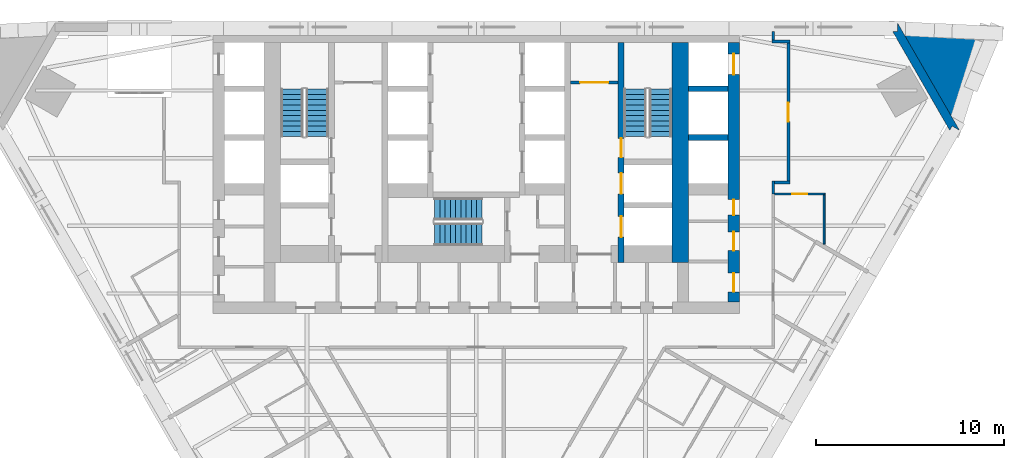
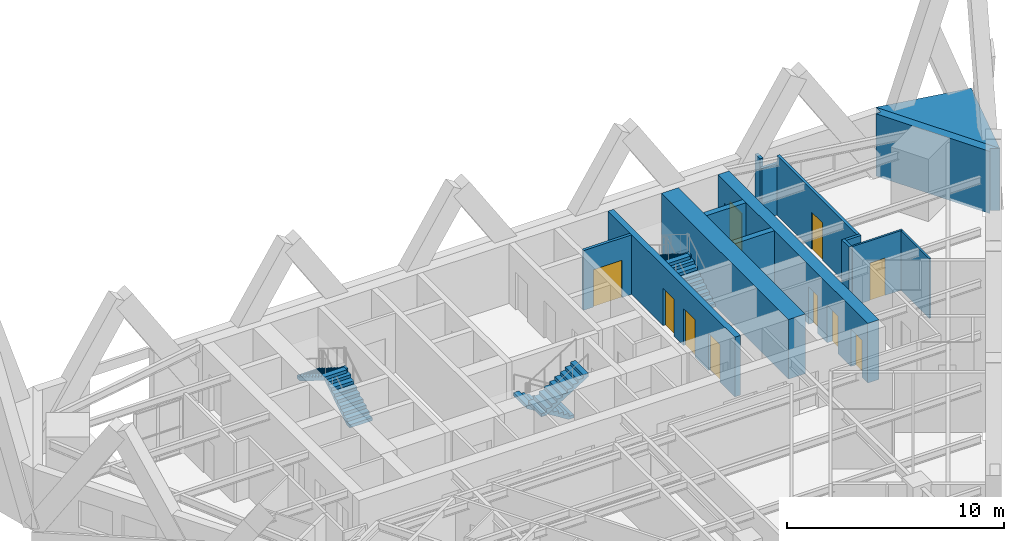
# One storey, part 9 of 11: 15 walls, 10 doors, 6 stair flights, 10 openings, 3 elements without a shape of their own.
"""IFC4 building model written with IfcOpenShell, lengths in metres."""

from ifc_helpers import new_model, si_unit, direction, frame, frame_2d, origin, place, context, subcontext, project, spatial, polyline, rectangle, outline, extrude, material, layer, layer_set, type_object, element, fill, aggregate, save


model = new_model("IFC4")

# Units and contexts
model_context = context("Model", 3, precision=1e-05, world=origin(), true_north=direction((0.0, 1.0)))
body_context = subcontext(model_context, "Body", "Model", "MODEL_VIEW")
ifc_project = project(units=[si_unit("LENGTHUNIT", "METRE"), si_unit("AREAUNIT", "SQUARE_METRE"), si_unit("VOLUMEUNIT", "CUBIC_METRE"), si_unit("PLANEANGLEUNIT", "RADIAN"), si_unit("MASSUNIT", "GRAM", prefix="KILO")], contexts=[model_context])

# Site, building, storey
site_placement = place(None, origin())
site = spatial("IfcSite", under=ifc_project, at=site_placement, CompositionType="ELEMENT")
building_placement = place(site_placement, origin())
building = spatial("IfcBuilding", under=site, at=building_placement, Name="Aloe Facet Convention Tower", CompositionType="ELEMENT")
storey_placement = place(building_placement, frame((0.0, 0.0, 49.0)))
storey = spatial("IfcBuildingStorey", under=building, at=storey_placement, Name="L10", CompositionType="ELEMENT", Elevation=49.0)

# Wall, opening, door
ifc_material_1 = material(Name="Concrete blockwork partition", Category="masonry")
ifc_layer_1 = layer(ifc_material_1, 0.14990234375)
ifc_layer_set_1 = layer_set([ifc_layer_1], Name="CR-W-PART150")
wall_type_1 = type_object("IfcWallType", Name="CR-W-PART150", PredefinedType="PARTITIONING", material=ifc_layer_set_1)
wall_1_placement = place(storey_placement, frame((85.0, 131.824951171875, 0.0), z_axis=(0.0, 0.0, 1.0), x_axis=(1.0, 0.0, 0.0)))
wall_1 = element("IfcWall", 1, at=wall_1_placement, inside=storey, type_object=wall_type_1, Name="Core partition L10-039", PredefinedType="PARTITIONING", context=body_context, shape_type="SweptSolid", body=[
    extrude(rectangle(XDim=2.550048828125, YDim=0.14990234375, at=frame_2d((1.27490234375, 0.0))), origin(), (0.0, 0.0, 1.0), 3.35009765625),
])
opening_1_placement = place(wall_1_placement, frame((0.52490234375, 0.0, 0.0)))
opening_1 = element("IfcOpeningElement", 2, at=opening_1_placement, cuts=wall_1, Name="Opening L10-CD21", PredefinedType="OPENING", context=body_context, shape_type="SweptSolid", body=[
    extrude(rectangle(XDim=1.5, YDim=2.10009765625, at=frame_2d((0.75, 1.050048828125))), frame((0.0, 0.0849609375, 0.0), z_axis=(0.0, -1.0, 0.0), x_axis=(1.0, 0.0, 0.0)), (0.0, 0.0, 1.0), 0.169921875),
])
ifc_material_2 = material(Name="Steel fire-resisting door set FD60", Category="steel")
door_type_1 = type_object("IfcDoorType", Name="CR-D-REFUGE-1500-FD60-DD", OperationType="DOUBLE_DOOR_DOUBLE_SWING", PredefinedType="DOOR", material=ifc_material_2)
door_1_placement = place(opening_1_placement, origin())
door_1 = element("IfcDoor", 3, at=door_1_placement, inside=storey, type_object=door_type_1, Name="Core door L10-CD21", OperationType="DOUBLE_DOOR_DOUBLE_SWING", OverallHeight=2.10009765625, OverallWidth=1.5, PredefinedType="DOOR", context=body_context, shape_type="SweptSolid", body=[
    extrude(rectangle(XDim=1.5, YDim=2.10009765625, at=frame_2d((0.75, 1.050048828125))), frame((0.0, 0.02490234375, 0.0), z_axis=(0.0, -1.0, 0.0), x_axis=(1.0, 0.0, 0.0)), (0.0, 0.0, 1.0), 0.050048828125),
])
fill(opening_1, door_1)

# Wall, openings, doors
ifc_material_3 = material(Name="Concrete C80/95", Category="concrete")
ifc_layer_2 = layer(ifc_material_3, 0.300048828125)
ifc_layer_set_2 = layer_set([ifc_layer_2], Name="CR-W-RC300-C8095")
wall_type_2 = type_object("IfcWallType", Name="CR-W-RC300-C8095", PredefinedType="SOLIDWALL", material=ifc_layer_set_2)
wall_2_placement = place(storey_placement, frame((87.699951171875, 133.949951171875, 0.0), z_axis=(0.0, 0.0, 1.0), x_axis=(0.0, -1.0, 0.0)))
wall_2 = element("IfcWall", 4, at=wall_2_placement, inside=storey, type_object=wall_type_2, Name="Core wall L10-043", PredefinedType="SOLIDWALL", context=body_context, shape_type="SweptSolid", body=[
    extrude(rectangle(XDim=11.699951171875, YDim=0.300048828125, at=frame_2d((5.85009765625, 0.0))), origin(), (0.0, 0.0, 1.0), 3.35009765625),
])
opening_2_placement = place(wall_2_placement, frame((6.949951171875, 0.0, 0.0)))
opening_2 = element("IfcOpeningElement", 5, at=opening_2_placement, cuts=wall_2, Name="Opening LD-FF2-L10", PredefinedType="OPENING", context=body_context, shape_type="SweptSolid", body=[
    extrude(rectangle(XDim=1.10009765625, YDim=2.10009765625, at=frame_2d((0.550048828125, 1.050048828125))), frame((0.0, 0.16015625, 0.0), z_axis=(0.0, -1.0, 0.0), x_axis=(1.0, 0.0, 0.0)), (0.0, 0.0, 1.0), 0.320068359375),
])
opening_3_placement = place(wall_2_placement, frame((5.10009765625, 0.0, 0.0)))
opening_3 = element("IfcOpeningElement", 6, at=opening_3_placement, cuts=wall_2, Name="Opening L10-CD32", PredefinedType="OPENING", context=body_context, shape_type="SweptSolid", body=[
    extrude(rectangle(XDim=1.0, YDim=2.10009765625, at=frame_2d((0.5, 1.050048828125))), frame((0.0, 0.16015625, 0.0), z_axis=(0.0, -1.0, 0.0), x_axis=(1.0, 0.0, 0.0)), (0.0, 0.0, 1.0), 0.320068359375),
])
opening_4_placement = place(wall_2_placement, frame((9.25, 0.0, 0.0)))
opening_4 = element("IfcOpeningElement", 7, at=opening_4_placement, cuts=wall_2, Name="Opening LD-SV1-L10", PredefinedType="OPENING", context=body_context, shape_type="SweptSolid", body=[
    extrude(rectangle(XDim=1.10009765625, YDim=2.10009765625, at=frame_2d((0.550048828125, 1.050048828125))), frame((0.0, 0.16015625, 0.0), z_axis=(0.0, -1.0, 0.0), x_axis=(1.0, 0.0, 0.0)), (0.0, 0.0, 1.0), 0.320068359375),
])
ifc_material_4 = material(Name="Steel fire-resisting door set FD120", Category="steel")
door_type_2 = type_object("IfcDoorType", Name="CR-D-STAIR-1000-FD120-SLEFT", OperationType="SINGLE_SWING_LEFT", PredefinedType="DOOR", material=ifc_material_4)
door_2_placement = place(opening_3_placement, origin())
door_2 = element("IfcDoor", 8, at=door_2_placement, inside=storey, type_object=door_type_2, Name="Core door L10-CD32", OperationType="SINGLE_SWING_LEFT", OverallHeight=2.10009765625, OverallWidth=1.0, PredefinedType="DOOR", context=body_context, shape_type="SweptSolid", body=[
    extrude(rectangle(XDim=1.0, YDim=2.10009765625, at=frame_2d((0.5, 1.050048828125))), frame((0.0, 0.02490234375, 0.0), z_axis=(0.0, -1.0, 0.0), x_axis=(1.0, 0.0, 0.0)), (0.0, 0.0, 1.0), 0.050048828125),
])
fill(opening_3, door_2)
ifc_material_5 = material(Name="Stainless steel sliding landing door", Category="steel")
door_type_3 = type_object("IfcDoorType", Name="CR-LD-1100-FD120-_LEFT", OperationType="SLIDING_TO_LEFT", PredefinedType="DOOR", material=ifc_material_5)
door_3_placement = place(opening_2_placement, origin())
door_3 = element("IfcDoor", 9, at=door_3_placement, inside=storey, type_object=door_type_3, Name="Landing door FF2 L10", OperationType="SLIDING_TO_LEFT", OverallHeight=2.10009765625, OverallWidth=1.10009765625, PredefinedType="DOOR", context=body_context, shape_type="SweptSolid", body=[
    extrude(rectangle(XDim=1.10009765625, YDim=2.10009765625, at=frame_2d((0.550048828125, 1.050048828125))), frame((0.0, 0.02490234375, 0.0), z_axis=(0.0, -1.0, 0.0), x_axis=(1.0, 0.0, 0.0)), (0.0, 0.0, 1.0), 0.050048828125),
])
fill(opening_2, door_3)
door_4_placement = place(opening_4_placement, origin())
door_4 = element("IfcDoor", 10, at=door_4_placement, inside=storey, type_object=door_type_3, Name="Landing door SV1 L10", OperationType="SLIDING_TO_LEFT", OverallHeight=2.10009765625, OverallWidth=1.10009765625, PredefinedType="DOOR", context=body_context, shape_type="SweptSolid", body=[
    extrude(rectangle(XDim=1.10009765625, YDim=2.10009765625, at=frame_2d((0.550048828125, 1.050048828125))), frame((0.0, 0.02490234375, 0.0), z_axis=(0.0, -1.0, 0.0), x_axis=(1.0, 0.0, 0.0)), (0.0, 0.0, 1.0), 0.050048828125),
])
fill(opening_4, door_4)

# Walls
for number, where, z_axis, x_axis, name in (
    (11, (91.300048828125, 131.5, 0.0), (0.0, 0.0, 1.0), (1.0, 0.0, 0.0), "Core wall L10-050"),
    (12, (91.300048828125, 128.89990234375, 0.0), (0.0, 0.0, 1.0), (1.0, 0.0, 0.0), "Core wall L10-051"),
):
    element("IfcWall", number, at=place(storey_placement, frame(where, z_axis=z_axis, x_axis=x_axis)), inside=storey, type_object=wall_type_2, Name=name, PredefinedType="SOLIDWALL", context=body_context, shape_type="SweptSolid", body=[
        extrude(rectangle(XDim=2.099853515625, YDim=0.300048828125, at=frame_2d((1.0498046875, 0.0))), origin(), (0.0, 0.0, 1.0), 3.35009765625),
    ])

# Wall, openings, doors
ifc_material_6 = material(Name="Concrete C80/95", Category="concrete")
ifc_layer_3 = layer(ifc_material_6, 0.60009765625)
ifc_layer_set_3 = layer_set([ifc_layer_3], Name="CR-W-RC600-C8095")
wall_type_3 = type_object("IfcWallType", Name="CR-W-RC600-C8095", PredefinedType="SOLIDWALL", material=ifc_layer_set_3)
wall_3_placement = place(storey_placement, frame((93.699951171875, 133.949951171875, 0.0), z_axis=(0.0, 0.0, 1.0), x_axis=(0.0, -1.0, 0.0)))
wall_3 = element("IfcWall", 13, at=wall_3_placement, inside=storey, type_object=wall_type_3, Name="Core wall L10-055", PredefinedType="SOLIDWALL", context=body_context, shape_type="SweptSolid", body=[
    extrude(rectangle(XDim=13.800048828125, YDim=0.60009765625, at=frame_2d((6.89990234375, 0.0))), origin(), (0.0, 0.0, 1.0), 3.35009765625),
])
opening_5_placement = place(wall_3_placement, frame((0.60009765625, 0.0, 0.0)))
opening_5 = element("IfcOpeningElement", 14, at=opening_5_placement, cuts=wall_3, Name="Opening LD-A8-L10", PredefinedType="OPENING", context=body_context, shape_type="SweptSolid", body=[
    extrude(rectangle(XDim=1.10009765625, YDim=2.10009765625, at=frame_2d((0.550048828125, 1.050048828125))), frame((0.0, 0.31005859375, 0.0), z_axis=(0.0, -1.0, 0.0), x_axis=(1.0, 0.0, 0.0)), (0.0, 0.0, 1.0), 0.6201171875),
])
opening_6_placement = place(wall_3_placement, frame((8.35009765625, 0.0, 0.0)))
opening_6 = element("IfcOpeningElement", 15, at=opening_6_placement, cuts=wall_3, Name="Opening L10-CD09", PredefinedType="OPENING", context=body_context, shape_type="SweptSolid", body=[
    extrude(rectangle(XDim=0.826416015625, YDim=2.10009765625, at=frame_2d((0.4130859375, 1.050048828125))), frame((0.0, 0.31005859375, 0.0), z_axis=(0.0, -1.0, 0.0), x_axis=(1.0, 0.0, 0.0)), (0.0, 0.0, 1.0), 0.6201171875),
])
opening_7_placement = place(wall_3_placement, frame((10.071044921875, 0.0, 0.0)))
opening_7 = element("IfcOpeningElement", 16, at=opening_7_placement, cuts=wall_3, Name="Opening L10-CD10", PredefinedType="OPENING", context=body_context, shape_type="SweptSolid", body=[
    extrude(rectangle(XDim=1.0, YDim=2.10009765625, at=frame_2d((0.5, 1.050048828125))), frame((0.0, 0.31005859375, 0.0), z_axis=(0.0, -1.0, 0.0), x_axis=(1.0, 0.0, 0.0)), (0.0, 0.0, 1.0), 0.6201171875),
])
opening_8_placement = place(wall_3_placement, frame((12.2578125, 0.0, 0.0)))
opening_8 = element("IfcOpeningElement", 17, at=opening_8_placement, cuts=wall_3, Name="Opening L10-CD11", PredefinedType="OPENING", context=body_context, shape_type="SweptSolid", body=[
    extrude(rectangle(XDim=1.0, YDim=2.10009765625, at=frame_2d((0.5, 1.050048828125))), frame((0.0, 0.31005859375, 0.0), z_axis=(0.0, -1.0, 0.0), x_axis=(1.0, 0.0, 0.0)), (0.0, 0.0, 1.0), 0.6201171875),
])
ifc_material_7 = material(Name="Steel fire-resisting door set FD60", Category="steel")
door_type_4 = type_object("IfcDoorType", Name="CR-D-ROOM-1000-FD60-SLEFT", OperationType="SINGLE_SWING_LEFT", PredefinedType="DOOR", material=ifc_material_7)
door_5_placement = place(opening_7_placement, origin())
door_5 = element("IfcDoor", 18, at=door_5_placement, inside=storey, type_object=door_type_4, Name="Core door L10-CD10", OperationType="SINGLE_SWING_LEFT", OverallHeight=2.10009765625, OverallWidth=1.0, PredefinedType="DOOR", context=body_context, shape_type="SweptSolid", body=[
    extrude(rectangle(XDim=1.0, YDim=2.10009765625, at=frame_2d((0.5, 1.050048828125))), frame((0.0, 0.02490234375, 0.0), z_axis=(0.0, -1.0, 0.0), x_axis=(1.0, 0.0, 0.0)), (0.0, 0.0, 1.0), 0.050048828125),
])
fill(opening_7, door_5)
door_6_placement = place(opening_8_placement, origin())
door_6 = element("IfcDoor", 19, at=door_6_placement, inside=storey, type_object=door_type_4, Name="Core door L10-CD11", OperationType="SINGLE_SWING_LEFT", OverallHeight=2.10009765625, OverallWidth=1.0, PredefinedType="DOOR", context=body_context, shape_type="SweptSolid", body=[
    extrude(rectangle(XDim=1.0, YDim=2.10009765625, at=frame_2d((0.5, 1.050048828125))), frame((0.0, 0.02490234375, 0.0), z_axis=(0.0, -1.0, 0.0), x_axis=(1.0, 0.0, 0.0)), (0.0, 0.0, 1.0), 0.050048828125),
])
fill(opening_8, door_6)
ifc_material_8 = material(Name="Steel fire-resisting door set FD60", Category="steel")
door_type_5 = type_object("IfcDoorType", Name="CR-D-ROOM-826-FD60-SLEFT", OperationType="SINGLE_SWING_LEFT", PredefinedType="DOOR", material=ifc_material_8)
door_7_placement = place(opening_6_placement, origin())
door_7 = element("IfcDoor", 20, at=door_7_placement, inside=storey, type_object=door_type_5, Name="Core door L10-CD09", OperationType="SINGLE_SWING_LEFT", OverallHeight=2.10009765625, OverallWidth=0.826416015625, PredefinedType="DOOR", context=body_context, shape_type="SweptSolid", body=[
    extrude(rectangle(XDim=0.826416015625, YDim=2.10009765625, at=frame_2d((0.4130859375, 1.050048828125))), frame((0.0, 0.02490234375, 0.0), z_axis=(0.0, -1.0, 0.0), x_axis=(1.0, 0.0, 0.0)), (0.0, 0.0, 1.0), 0.050048828125),
])
fill(opening_6, door_7)
ifc_material_9 = material(Name="Stainless steel sliding landing door", Category="steel")
door_type_6 = type_object("IfcDoorType", Name="CR-LD-1100-FD60-_LEFT", OperationType="SLIDING_TO_LEFT", PredefinedType="DOOR", material=ifc_material_9)
door_8_placement = place(opening_5_placement, origin())
door_8 = element("IfcDoor", 21, at=door_8_placement, inside=storey, type_object=door_type_6, Name="Landing door A8 L10", OperationType="SLIDING_TO_LEFT", OverallHeight=2.10009765625, OverallWidth=1.10009765625, PredefinedType="DOOR", context=body_context, shape_type="SweptSolid", body=[
    extrude(rectangle(XDim=1.10009765625, YDim=2.10009765625, at=frame_2d((0.550048828125, 1.050048828125))), frame((0.0, 0.02490234375, 0.0), z_axis=(0.0, -1.0, 0.0), x_axis=(1.0, 0.0, 0.0)), (0.0, 0.0, 1.0), 0.050048828125),
])
fill(opening_5, door_8)

# Walls
ifc_material_10 = material(Name="Concrete C80/95", Category="concrete")
ifc_layer_4 = layer(ifc_material_10, 0.89990234375)
ifc_layer_set_4 = layer_set([ifc_layer_4], Name="CR-W-RC900-C8095")
wall_type_4 = type_object("IfcWallType", Name="CR-W-RC900-C8095", PredefinedType="SOLIDWALL", material=ifc_layer_set_4)
wall_4_placement = place(storey_placement, frame((90.85009765625, 133.949951171875, 0.0), z_axis=(0.0, 0.0, 1.0), x_axis=(0.0, -1.0, 0.0)))
element("IfcWall", 22, at=wall_4_placement, inside=storey, type_object=wall_type_4, Name="Core wall L10-048", PredefinedType="SOLIDWALL", context=body_context, shape_type="SweptSolid", body=[
    extrude(rectangle(XDim=11.699951171875, YDim=0.89990234375, at=frame_2d((5.85009765625, 0.0))), origin(), (0.0, 0.0, 1.0), 3.35009765625),
])
ifc_material_11 = material(Name="Precast concrete C40/50", Category="concrete")
ifc_layer_5 = layer(ifc_material_11, 0.449951171875)
ifc_layer_set_5 = layer_set([ifc_layer_5], Name="EV-WALL-PIER")
wall_type_5 = type_object("IfcWallType", Name="EV-WALL-PIER", PredefinedType="SOLIDWALL", material=ifc_layer_set_5)
wall_5_placement = place(storey_placement, frame((0.0, 0.0, -0.14990234375)))
element("IfcWall", 23, at=wall_5_placement, inside=storey, type_object=wall_type_5, Name="EP-L10-C", PredefinedType="SOLIDWALL", context=body_context, shape_type="SweptSolid", body=[
    extrude(outline(polyline([(105.699951171875, 129.2841796875), (105.310302734375, 129.50927734375), (105.180419921875, 129.2841796875), (102.14013671875, 134.550048828125), (102.39990234375, 134.550048828125), (102.39990234375, 135.0), (105.699951171875, 129.2841796875)])), origin(), (0.0, 0.0, 1.0), 3.5),
])
ifc_material_12 = material(Name="Precast concrete C40/50", Category="concrete")
ifc_layer_6 = layer(ifc_material_12, 3.947998046875)
ifc_layer_set_6 = layer_set([ifc_layer_6], Name="EV-WALL-SPINE")
wall_type_6 = type_object("IfcWallType", Name="EV-WALL-SPINE", PredefinedType="SOLIDWALL", material=ifc_layer_set_6)
wall_6_placement = place(storey_placement, frame((0.0, 0.0, -0.14990234375)))
element("IfcWall", 24, at=wall_6_placement, inside=storey, type_object=wall_type_6, Name="SP-NE-L10", PredefinedType="SOLIDWALL", context=body_context, shape_type="SweptSolid", body=[
    extrude(outline(polyline([(105.699951171875, 129.2841796875), (106.98095703125, 134.13623046875), (102.39990234375, 135.0), (105.699951171875, 129.2841796875)])), origin(), (0.0, 0.0, 1.0), 3.5),
])
ifc_material_13 = material(Name="Gypsum board partition on steel studs", Category="steel")
ifc_layer_7 = layer(ifc_material_13, 0.14990234375)
ifc_layer_set_7 = layer_set([ifc_layer_7], Name="IN-W-CORR")
wall_type_7 = type_object("IfcWallType", Name="IN-W-CORR", PredefinedType="PARTITIONING", material=ifc_layer_set_7)
wall_7_placement = place(storey_placement, frame((95.800048828125, 125.89501953125, 0.0), z_axis=(0.0, 0.0, 1.0), x_axis=(0.0, 1.0, 0.0)))
element("IfcWall", 25, at=wall_7_placement, inside=storey, type_object=wall_type_7, Name="Partition L10-W107", PredefinedType="PARTITIONING", context=body_context, shape_type="SweptSolid", body=[
    extrude(rectangle(XDim=0.679931640625, YDim=0.14990234375, at=frame_2d((0.33984375, 0.0))), origin(), (0.0, 0.0, 1.0), 3.35009765625),
])
wall_8_placement = place(storey_placement, frame((95.875, 126.5, 0.0), z_axis=(0.0, 0.0, 1.0), x_axis=(1.0, 0.0, 0.0)))
element("IfcWall", 26, at=wall_8_placement, inside=storey, type_object=wall_type_7, Name="Partition L10-W108", PredefinedType="PARTITIONING", context=body_context, shape_type="SweptSolid", body=[
    extrude(rectangle(XDim=0.800048828125, YDim=0.14990234375, at=frame_2d((0.39990234375, 0.0))), origin(), (0.0, 0.0, 1.0), 3.35009765625),
])
wall_9_placement = place(storey_placement, frame((95.72509765625, 134.0, 0.0), z_axis=(0.0, 0.0, 1.0), x_axis=(1.0, 0.0, 0.0)))
element("IfcWall", 27, at=wall_9_placement, inside=storey, type_object=wall_type_7, Name="Partition L10-W109", PredefinedType="PARTITIONING", context=body_context, shape_type="SweptSolid", body=[
    extrude(rectangle(XDim=0.949462890625, YDim=0.14990234375, at=frame_2d((0.474609375, 0.0))), origin(), (0.0, 0.0, 1.0), 2.88671875),
])

# Wall, opening, door
wall_10_placement = place(storey_placement, frame((96.599609375, 133.925048828125, 0.0), z_axis=(0.0, 0.0, 1.0), x_axis=(6.643194e-05, -0.999999997793, 0.0)))
wall_10 = element("IfcWall", 28, at=wall_10_placement, inside=storey, type_object=wall_type_7, Name="Partition L10-W110", PredefinedType="PARTITIONING", context=body_context, shape_type="SweptSolid", body=[
    extrude(rectangle(XDim=7.35009765625, YDim=0.14990234375, at=frame_2d((3.675048828125, 0.0))), origin(), (0.0, 0.0, 1.0), 3.35009765625),
])
opening_9_placement = place(wall_10_placement, frame((3.175048828125, 0.0, 0.0)))
opening_9 = element("IfcOpeningElement", 29, at=opening_9_placement, cuts=wall_10, Name="Opening L10-001", PredefinedType="OPENING", context=body_context, shape_type="SweptSolid", body=[
    extrude(rectangle(XDim=1.0, YDim=2.10009765625, at=frame_2d((0.5, 1.050048828125))), frame((0.0, 0.0849609375, 0.0), z_axis=(0.0, -1.0, 0.0), x_axis=(1.0, 0.0, 0.0)), (0.0, 0.0, 1.0), 0.169921875),
])
ifc_material_14 = material(Name="Hardwood flush door FD30S", Category="wood")
door_type_7 = type_object("IfcDoorType", Name="IN-D-WIDE", OperationType="SINGLE_SWING_LEFT", PredefinedType="DOOR", material=ifc_material_14)
door_9_placement = place(opening_9_placement, origin())
door_9 = element("IfcDoor", 30, at=door_9_placement, inside=storey, type_object=door_type_7, Name="Door L10-001", OperationType="SINGLE_SWING_LEFT", OverallHeight=2.10009765625, OverallWidth=1.0, PredefinedType="DOOR", context=body_context, shape_type="SweptSolid", body=[
    extrude(rectangle(XDim=1.0, YDim=2.10009765625, at=frame_2d((0.5, 1.050048828125))), frame((0.0, 0.02490234375, 0.0), z_axis=(0.0, -1.0, 0.0), x_axis=(1.0, 0.0, 0.0)), (0.0, 0.0, 1.0), 0.050048828125),
])
fill(opening_9, door_9)

# Wall
wall_11_placement = place(storey_placement, frame((95.800048828125, 134.074951171875, 0.0), z_axis=(0.0, 0.0, 1.0), x_axis=(0.0, 1.0, 0.0)))
element("IfcWall", 31, at=wall_11_placement, inside=storey, type_object=wall_type_7, Name="Partition L10-W111", PredefinedType="PARTITIONING", context=body_context, shape_type="SweptSolid", body=[
    extrude(rectangle(XDim=0.465087890625, YDim=0.14990234375, at=frame_2d((0.232421875, 0.0))), origin(), (0.0, 0.0, 1.0), 3.35009765625),
])

# Wall, opening, door
ifc_material_15 = material(Name="Gypsum board partition on steel studs", Category="steel")
ifc_layer_8 = layer(ifc_material_15, 0.10009765625)
ifc_layer_set_8 = layer_set([ifc_layer_8], Name="IN-W-PART")
wall_type_8 = type_object("IfcWallType", Name="IN-W-PART", PredefinedType="PARTITIONING", material=ifc_layer_set_8)
wall_12_placement = place(storey_placement, frame((95.875, 125.89501953125, 0.0), z_axis=(0.0, 0.0, 1.0), x_axis=(1.0, 0.0, 0.0)))
wall_12 = element("IfcWall", 32, at=wall_12_placement, inside=storey, type_object=wall_type_8, Name="Partition L10-W103", PredefinedType="PARTITIONING", context=body_context, shape_type="SweptSolid", body=[
    extrude(rectangle(XDim=2.675048828125, YDim=0.10009765625, at=frame_2d((1.33740234375, 0.0))), origin(), (0.0, 0.0, 1.0), 3.35009765625),
])
opening_10_placement = place(wall_12_placement, frame((0.9375, 0.0, 0.0)))
opening_10 = element("IfcOpeningElement", 33, at=opening_10_placement, cuts=wall_12, Name="Opening L10-016", PredefinedType="OPENING", context=body_context, shape_type="SweptSolid", body=[
    extrude(rectangle(XDim=0.800048828125, YDim=2.10009765625, at=frame_2d((0.39990234375, 1.050048828125))), frame((0.0, 0.06005859375, 0.0), z_axis=(0.0, -1.0, 0.0), x_axis=(1.0, 0.0, 0.0)), (0.0, 0.0, 1.0), 0.1201171875),
])
ifc_material_16 = material(Name="Timber flush door", Category="wood")
door_type_8 = type_object("IfcDoorType", Name="IN-D-BATH", OperationType="SINGLE_SWING_LEFT", PredefinedType="DOOR", material=ifc_material_16)
door_10_placement = place(opening_10_placement, origin())
door_10 = element("IfcDoor", 34, at=door_10_placement, inside=storey, type_object=door_type_8, Name="Door L10-016", OperationType="SINGLE_SWING_LEFT", OverallHeight=2.10009765625, OverallWidth=0.800048828125, PredefinedType="DOOR", context=body_context, shape_type="SweptSolid", body=[
    extrude(rectangle(XDim=0.800048828125, YDim=2.10009765625, at=frame_2d((0.39990234375, 1.050048828125))), frame((0.0, 0.02490234375, 0.0), z_axis=(0.0, -1.0, 0.0), x_axis=(1.0, 0.0, 0.0)), (0.0, 0.0, 1.0), 0.050048828125),
])
fill(opening_10, door_10)

# Wall
wall_13_placement = place(storey_placement, frame((98.5, 123.22509765625, 0.0), z_axis=(0.0, 0.0, 1.0), x_axis=(0.0, 1.0, 0.0)))
element("IfcWall", 35, at=wall_13_placement, inside=storey, type_object=wall_type_8, Name="Partition L10-W104", PredefinedType="PARTITIONING", context=body_context, shape_type="SweptSolid", body=[
    extrude(rectangle(XDim=2.619873046875, YDim=0.10009765625, at=frame_2d((1.31005859375, 0.0))), origin(), (0.0, 0.0, 1.0), 3.35009765625),
])

# Stair, stair flights
ifc_material_17 = material(Name="Concrete C50/60", Category="concrete")
stair_type = type_object("IfcStairType", Name="CR-ST-20R", PredefinedType="HALF_TURN_STAIR", material=ifc_material_17)
stair_1_placement = place(storey_placement, origin())
stair_1 = element("IfcStair", 36, at=stair_1_placement, inside=storey, type_object=stair_type, Name="L10 Protected exit stair ST1", PredefinedType="HALF_TURN_STAIR")
ifc_material_18 = material(Name="Concrete C50/60", Category="concrete")
stair_flight_type = type_object("IfcStairFlightType", Name="CR-SFL-20R", PredefinedType="STRAIGHT", material=ifc_material_18)
stair_flight_1_placement = place(storey_placement, frame((71.550048828125, 128.949951171875, 0.0), z_axis=(0.0, 0.0, 1.0), x_axis=(0.0, 1.0, 0.0)))
stair_flight_1 = element("IfcStairFlight", 37, at=stair_flight_1_placement, type_object=stair_flight_type, Name="ST1 flight 1", NumberOfRisers=10, NumberOfTreads=9, PredefinedType="STRAIGHT", RiserHeight=0.175, TreadLength=0.28, context=body_context, shape_type="SweptSolid", body=[
    extrude(outline(polyline([(0.0, 0.0), (0.0, 0.175048828125), (0.280029296875, 0.175048828125), (0.280029296875, 0.35009765625), (0.56005859375, 0.35009765625), (0.56005859375, 0.52490234375), (0.840087890625, 0.52490234375), (0.840087890625, 0.699951171875), (1.1201171875, 0.699951171875), (1.1201171875, 0.875), (1.39990234375, 0.875), (1.39990234375, 1.050048828125), (1.679931640625, 1.050048828125), (1.679931640625, 1.22509765625), (1.9599609375, 1.22509765625), (1.9599609375, 1.39990234375), (2.239990234375, 1.39990234375), (2.239990234375, 1.574951171875), (2.52001953125, 1.574951171875), (2.52001953125, 1.75), (2.52001953125, 1.398193359375), (0.28271484375, 0.0), (0.0, 0.0)])), frame((0.0, 0.60009765625, 0.0), z_axis=(0.0, -1.0, 0.0), x_axis=(1.0, 0.0, 0.0)), (0.0, 0.0, 1.0), 1.199951171875),
])
stair_flight_2_placement = place(storey_placement, frame((70.199951171875, 131.469970703125, 1.75), z_axis=(0.0, 0.0, 1.0), x_axis=(0.0, -1.0, 0.0)))
stair_flight_2 = element("IfcStairFlight", 38, at=stair_flight_2_placement, type_object=stair_flight_type, Name="ST1 flight 2", NumberOfRisers=10, NumberOfTreads=9, PredefinedType="STRAIGHT", RiserHeight=0.175, TreadLength=0.28, context=body_context, shape_type="SweptSolid", body=[
    extrude(outline(polyline([(0.0, 0.0), (0.0, 0.175048828125), (0.280029296875, 0.175048828125), (0.280029296875, 0.35009765625), (0.56005859375, 0.35009765625), (0.56005859375, 0.52490234375), (0.840087890625, 0.52490234375), (0.840087890625, 0.699951171875), (1.1201171875, 0.699951171875), (1.1201171875, 0.875), (1.39990234375, 0.875), (1.39990234375, 1.050048828125), (1.679931640625, 1.050048828125), (1.679931640625, 1.22509765625), (1.9599609375, 1.22509765625), (1.9599609375, 1.39990234375), (2.239990234375, 1.39990234375), (2.239990234375, 1.574951171875), (2.52001953125, 1.574951171875), (2.52001953125, 1.75), (2.52001953125, 1.398193359375), (0.28271484375, 0.0), (0.0, 0.0)])), frame((0.0, 0.60009765625, 0.0), z_axis=(0.0, -1.0, 0.0), x_axis=(1.0, 0.0, 0.0)), (0.0, 0.0, 1.0), 1.199951171875),
])
aggregate(stair_1, [stair_flight_1, stair_flight_2])

stair_2_placement = place(storey_placement, origin())
stair_2 = element("IfcStair", 39, at=stair_2_placement, inside=storey, type_object=stair_type, Name="L10 Protected exit stair ST2", PredefinedType="HALF_TURN_STAIR")
stair_flight_3_placement = place(storey_placement, frame((89.800048828125, 128.949951171875, 0.0), z_axis=(0.0, 0.0, 1.0), x_axis=(0.0, 1.0, 0.0)))
stair_flight_3 = element("IfcStairFlight", 40, at=stair_flight_3_placement, type_object=stair_flight_type, Name="ST2 flight 1", NumberOfRisers=10, NumberOfTreads=9, PredefinedType="STRAIGHT", RiserHeight=0.175, TreadLength=0.28, context=body_context, shape_type="SweptSolid", body=[
    extrude(outline(polyline([(0.0, 0.0), (0.0, 0.175048828125), (0.280029296875, 0.175048828125), (0.280029296875, 0.35009765625), (0.56005859375, 0.35009765625), (0.56005859375, 0.52490234375), (0.840087890625, 0.52490234375), (0.840087890625, 0.699951171875), (1.1201171875, 0.699951171875), (1.1201171875, 0.875), (1.39990234375, 0.875), (1.39990234375, 1.050048828125), (1.679931640625, 1.050048828125), (1.679931640625, 1.22509765625), (1.9599609375, 1.22509765625), (1.9599609375, 1.39990234375), (2.239990234375, 1.39990234375), (2.239990234375, 1.574951171875), (2.52001953125, 1.574951171875), (2.52001953125, 1.75), (2.52001953125, 1.398193359375), (0.28271484375, 0.0), (0.0, 0.0)])), frame((0.0, 0.60009765625, 0.0), z_axis=(0.0, -1.0, 0.0), x_axis=(1.0, 0.0, 0.0)), (0.0, 0.0, 1.0), 1.199951171875),
])
stair_flight_4_placement = place(storey_placement, frame((88.449951171875, 131.469970703125, 1.75), z_axis=(0.0, 0.0, 1.0), x_axis=(0.0, -1.0, 0.0)))
stair_flight_4 = element("IfcStairFlight", 41, at=stair_flight_4_placement, type_object=stair_flight_type, Name="ST2 flight 2", NumberOfRisers=10, NumberOfTreads=9, PredefinedType="STRAIGHT", RiserHeight=0.175, TreadLength=0.28, context=body_context, shape_type="SweptSolid", body=[
    extrude(outline(polyline([(0.0, 0.0), (0.0, 0.175048828125), (0.280029296875, 0.175048828125), (0.280029296875, 0.35009765625), (0.56005859375, 0.35009765625), (0.56005859375, 0.52490234375), (0.840087890625, 0.52490234375), (0.840087890625, 0.699951171875), (1.1201171875, 0.699951171875), (1.1201171875, 0.875), (1.39990234375, 0.875), (1.39990234375, 1.050048828125), (1.679931640625, 1.050048828125), (1.679931640625, 1.22509765625), (1.9599609375, 1.22509765625), (1.9599609375, 1.39990234375), (2.239990234375, 1.39990234375), (2.239990234375, 1.574951171875), (2.52001953125, 1.574951171875), (2.52001953125, 1.75), (2.52001953125, 1.398193359375), (0.28271484375, 0.0), (0.0, 0.0)])), frame((0.0, 0.60009765625, 0.0), z_axis=(0.0, -1.0, 0.0), x_axis=(1.0, 0.0, 0.0)), (0.0, 0.0, 1.0), 1.199951171875),
])
aggregate(stair_2, [stair_flight_3, stair_flight_4])

stair_3_placement = place(storey_placement, origin())
stair_3 = element("IfcStair", 42, at=stair_3_placement, inside=storey, type_object=stair_type, Name="L10 Protected exit stair ST3", PredefinedType="HALF_TURN_STAIR")
stair_flight_5_placement = place(storey_placement, frame((80.300048828125, 125.10009765625, 0.0), z_axis=(0.0, 0.0, 1.0), x_axis=(-1.0, 0.0, 0.0)))
stair_flight_5 = element("IfcStairFlight", 43, at=stair_flight_5_placement, type_object=stair_flight_type, Name="ST3 flight 1", NumberOfRisers=10, NumberOfTreads=9, PredefinedType="STRAIGHT", RiserHeight=0.175, TreadLength=0.28, context=body_context, shape_type="SweptSolid", body=[
    extrude(outline(polyline([(0.0, 0.0), (0.0, 0.175048828125), (0.280029296875, 0.175048828125), (0.280029296875, 0.35009765625), (0.56005859375, 0.35009765625), (0.56005859375, 0.52490234375), (0.840087890625, 0.52490234375), (0.840087890625, 0.699951171875), (1.1201171875, 0.699951171875), (1.1201171875, 0.875), (1.39990234375, 0.875), (1.39990234375, 1.050048828125), (1.679931640625, 1.050048828125), (1.679931640625, 1.22509765625), (1.9599609375, 1.22509765625), (1.9599609375, 1.39990234375), (2.239990234375, 1.39990234375), (2.239990234375, 1.574951171875), (2.52001953125, 1.574951171875), (2.52001953125, 1.75), (2.52001953125, 1.398193359375), (0.28271484375, 0.0), (0.0, 0.0)])), frame((0.0, 0.60009765625, 0.0), z_axis=(0.0, -1.0, 0.0), x_axis=(1.0, 0.0, 0.0)), (0.0, 0.0, 1.0), 1.199951171875),
])
stair_flight_6_placement = place(storey_placement, frame((77.780029296875, 123.75, 1.75), z_axis=(0.0, 0.0, 1.0), x_axis=(1.0, 0.0, 0.0)))
stair_flight_6 = element("IfcStairFlight", 44, at=stair_flight_6_placement, type_object=stair_flight_type, Name="ST3 flight 2", NumberOfRisers=10, NumberOfTreads=9, PredefinedType="STRAIGHT", RiserHeight=0.175, TreadLength=0.28, context=body_context, shape_type="SweptSolid", body=[
    extrude(outline(polyline([(0.0, 0.0), (0.0, 0.175048828125), (0.280029296875, 0.175048828125), (0.280029296875, 0.35009765625), (0.56005859375, 0.35009765625), (0.56005859375, 0.52490234375), (0.840087890625, 0.52490234375), (0.840087890625, 0.699951171875), (1.1201171875, 0.699951171875), (1.1201171875, 0.875), (1.39990234375, 0.875), (1.39990234375, 1.050048828125), (1.679931640625, 1.050048828125), (1.679931640625, 1.22509765625), (1.9599609375, 1.22509765625), (1.9599609375, 1.39990234375), (2.239990234375, 1.39990234375), (2.239990234375, 1.574951171875), (2.52001953125, 1.574951171875), (2.52001953125, 1.75), (2.52001953125, 1.398193359375), (0.28271484375, 0.0), (0.0, 0.0)])), frame((0.0, 0.60009765625, 0.0), z_axis=(0.0, -1.0, 0.0), x_axis=(1.0, 0.0, 0.0)), (0.0, 0.0, 1.0), 1.199951171875),
])
aggregate(stair_3, [stair_flight_5, stair_flight_6])

save(model, "model.ifc")
